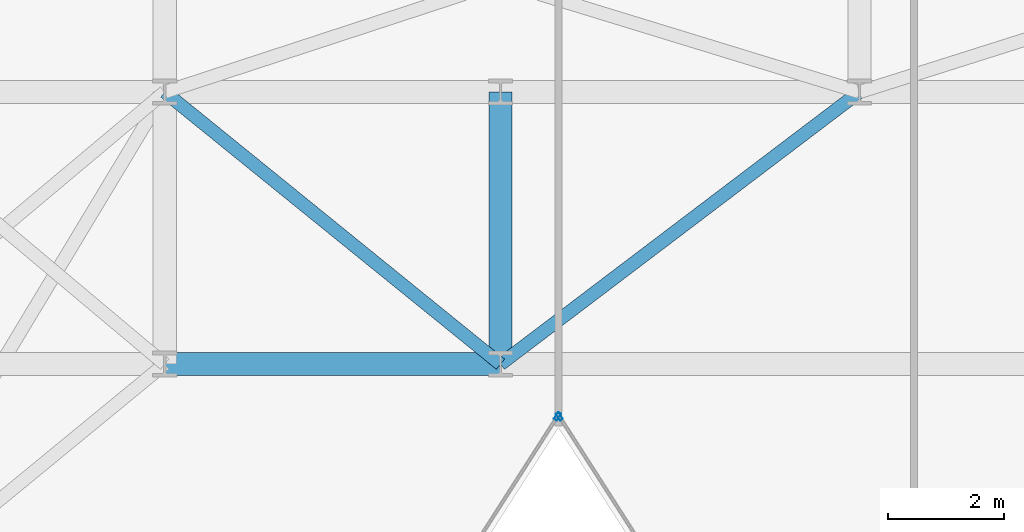
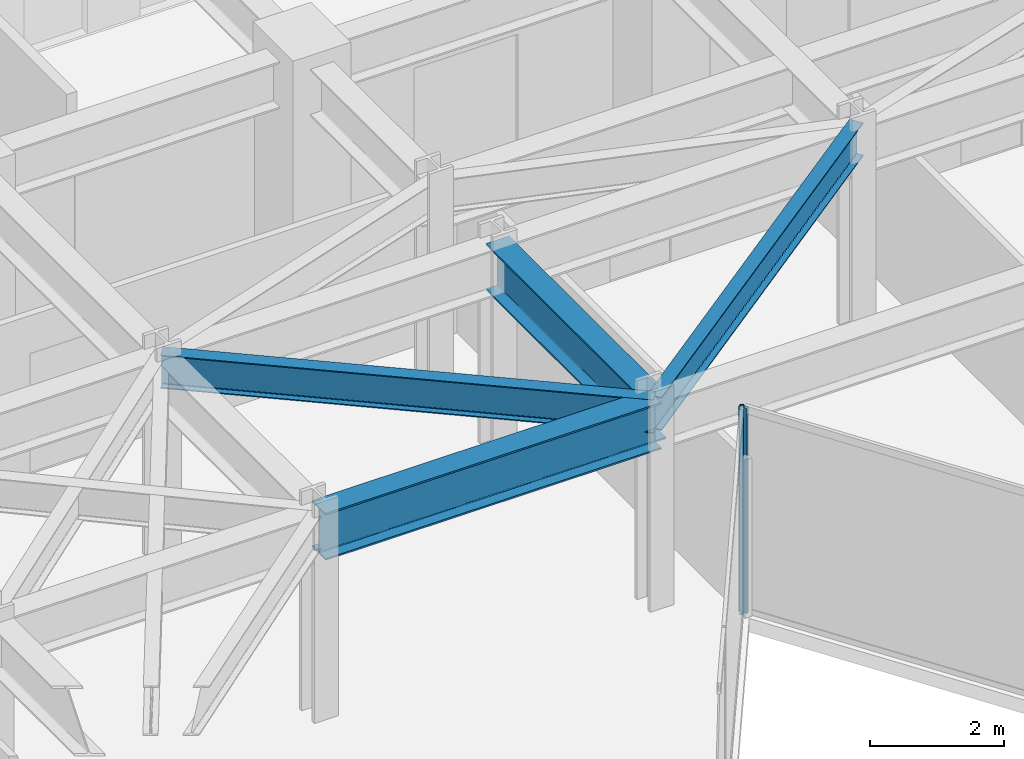
# One storey, part 13 of 26: 4 beams, 2 members, 2 elements without a shape of their own.
"""IFC4 building model written with IfcOpenShell, lengths in metres."""

from ifc_helpers import new_model, si_unit, direction, frame, origin, origin_2d, place, context, subcontext, project, spatial, hollow_rectangle, i_section, extrude, material, layer, layer_set, material_profile, profile_set, type_object, element, aggregate, save


model = new_model("IFC4")

# Units and contexts
model_context = context("Model", 3, precision=1e-05, world=origin(), true_north=direction((0.0, 1.0)))
body_context = subcontext(model_context, "Body", "Model", "MODEL_VIEW")
ifc_project = project(units=[si_unit("LENGTHUNIT", "METRE"), si_unit("AREAUNIT", "SQUARE_METRE"), si_unit("VOLUMEUNIT", "CUBIC_METRE"), si_unit("PLANEANGLEUNIT", "RADIAN"), si_unit("MASSUNIT", "GRAM", prefix="KILO")], contexts=[model_context])

# Site, building, storey
site_placement = place(None, origin())
site = spatial("IfcSite", under=ifc_project, at=site_placement, CompositionType="ELEMENT")
building_placement = place(site_placement, origin())
building = spatial("IfcBuilding", under=site, at=building_placement, Name="Kravanh Interchange Tower", CompositionType="ELEMENT")
storey_placement = place(building_placement, frame((0.0, 0.0, 136.0)))
storey = spatial("IfcBuildingStorey", under=building, at=storey_placement, Name="L32", CompositionType="ELEMENT", Elevation=136.0)

# Curtain wall, member
ifc_material_1 = material(Name="Anodised Bronze Aluminium", Category="aluminium")
ifc_layer = layer(ifc_material_1, 0.179931640625)
ifc_layer_set = layer_set([ifc_layer], Name="Unitised Curtain Wall System CW-Z2 Mid Office")
curtain_wall_type = type_object("IfcCurtainWallType", Name="Unitised Curtain Wall System CW-Z2 Mid Office", PredefinedType="NOTDEFINED", material=ifc_layer_set)
curtain_wall_1_placement = place(storey_placement, origin())
curtain_wall_1 = element("IfcCurtainWall", 1, at=curtain_wall_1_placement, inside=storey, type_object=curtain_wall_type, Name="L32 Unitised Curtain Wall CW-L32-04", PredefinedType="NOTDEFINED")
ifc_material_2 = material(Name="Anodised Bronze Aluminium", Category="aluminium")
ifc_material_profile_1 = material_profile(ifc_material_2, hollow_rectangle(XDim=0.06005859375, YDim=0.139892578125, WallThickness=0.00390625, at=origin_2d()), Name="ALU60X140X4")
ifc_profile_set_1 = profile_set([ifc_material_profile_1], Name="Anodised Bronze Aluminium")
member_type = type_object("IfcMemberType", Name="Curtain Wall Mullion ALU60X140X4 Bronze", PredefinedType="MULLION", material=ifc_profile_set_1)
member_1_placement = place(storey_placement, frame((39.6162109375, 25.897216796875, 0.0), z_axis=(0.0, 0.0, 1.0), x_axis=(-0.841879939476, -0.539664865919, 0.0)))
member_1 = element("IfcMember", 2, at=member_1_placement, type_object=member_type, Name="CW-Z2 mullion 5", PredefinedType="MULLION", context=body_context, shape_type="SweptSolid", body=[
    extrude(hollow_rectangle(XDim=0.06005859375, YDim=0.139892578125, WallThickness=0.00390625, at=origin_2d()), origin(), (0.0, 0.0, 1.0), 3.75),
])
aggregate(curtain_wall_1, [member_1])

curtain_wall_2_placement = place(storey_placement, origin())
curtain_wall_2 = element("IfcCurtainWall", 3, at=curtain_wall_2_placement, inside=storey, type_object=curtain_wall_type, Name="L32 Unitised Curtain Wall CW-L32-05", PredefinedType="NOTDEFINED")
member_2_placement = place(storey_placement, frame((39.583740234375, 25.897216796875, 0.0), z_axis=(0.0, 0.0, 1.0), x_axis=(0.841879939476, -0.539664865919, 0.0)))
member_2 = element("IfcMember", 4, at=member_2_placement, type_object=member_type, Name="CW-Z2 mullion 1", PredefinedType="MULLION", context=body_context, shape_type="SweptSolid", body=[
    extrude(hollow_rectangle(XDim=0.06005859375, YDim=0.139892578125, WallThickness=0.00390625, at=origin_2d()), origin(), (0.0, 0.0, 1.0), 3.75),
])
aggregate(curtain_wall_2, [member_2])

# Beams
ifc_material_3 = material(Name="Structural Steel S355", Category="steel")
ifc_material_profile_2 = material_profile(ifc_material_3, i_section(OverallWidth=0.39990234375, OverallDepth=0.85595703125, WebThickness=0.018310546875, FlangeThickness=0.029296875, FilletRadius=0.02490234375, at=origin_2d()), Name="W33X201")
ifc_profile_set_2 = profile_set([ifc_material_profile_2], Name="Structural Steel S355")
beam_type_1 = type_object("IfcBeamType", Name="Floor Beam W33X201 Structural Steel S355", PredefinedType="BEAM", material=ifc_profile_set_2)
beam_1_placement = place(storey_placement, frame((32.800048828125, 26.800048828125, 3.322021484375), z_axis=(1.0, 0.0, 0.0), x_axis=(0.0, 1.0, 0.0)))
element("IfcBeam", 5, at=beam_1_placement, inside=storey, type_object=beam_type_1, Name="L32 Primary Floor Girder 50", PredefinedType="BEAM", context=body_context, shape_type="SweptSolid", body=[
    extrude(i_section(OverallWidth=0.39990234375, OverallDepth=0.85595703125, WebThickness=0.018310546875, FlangeThickness=0.029296875, FilletRadius=0.02490234375, at=origin_2d()), origin(), (0.0, 0.0, 1.0), 5.800048828125),
])
beam_2_placement = place(storey_placement, frame((38.60009765625, 26.800048828125, 3.322021484375), z_axis=(0.0, 1.0, 0.0), x_axis=(-1.0, 0.0, 0.0)))
element("IfcBeam", 6, at=beam_2_placement, inside=storey, type_object=beam_type_1, Name="L32 Primary Floor Girder 53", PredefinedType="BEAM", context=body_context, shape_type="SweptSolid", body=[
    extrude(i_section(OverallWidth=0.39990234375, OverallDepth=0.85595703125, WebThickness=0.018310546875, FlangeThickness=0.029296875, FilletRadius=0.02490234375, at=origin_2d()), origin(), (0.0, 0.0, 1.0), 4.699951171875),
])
ifc_material_4 = material(Name="Structural Steel S355", Category="steel")
ifc_material_profile_3 = material_profile(ifc_material_4, i_section(OverallWidth=0.22802734375, OverallDepth=0.60791015625, WebThickness=0.01123046875, FlangeThickness=0.017333984375, FilletRadius=0.02197265625, at=origin_2d()), Name="W24X76")
ifc_profile_set_3 = profile_set([ifc_material_profile_3], Name="Structural Steel S355")
beam_type_2 = type_object("IfcBeamType", Name="Floor Spandrel W24X76 Structural Steel S355", PredefinedType="SPANDREL", material=ifc_profile_set_3)
beam_3_placement = place(storey_placement, frame((38.60009765625, 26.800048828125, 3.446044921875), z_axis=(-0.776938619557, 0.629576350764, 0.0), x_axis=(-0.629576350764, -0.776938619557, 0.0)))
element("IfcBeam", 7, at=beam_3_placement, inside=storey, type_object=beam_type_2, Name="L32 Perimeter Spandrel 54", PredefinedType="SPANDREL", context=body_context, shape_type="SweptSolid", body=[
    extrude(i_section(OverallWidth=0.22802734375, OverallDepth=0.60791015625, WebThickness=0.01123046875, FlangeThickness=0.017333984375, FilletRadius=0.02197265625, at=origin_2d()), origin(), (0.0, 0.0, 1.0), 7.46533203125),
])
beam_4_placement = place(storey_placement, frame((38.60009765625, 26.800048828125, 3.446044921875), z_axis=(0.796905365509, 0.604104161898, 0.0), x_axis=(-0.604104161898, 0.796905365509, 0.0)))
element("IfcBeam", 8, at=beam_4_placement, inside=storey, type_object=beam_type_2, Name="L32 Perimeter Spandrel 55", PredefinedType="SPANDREL", context=body_context, shape_type="SweptSolid", body=[
    extrude(i_section(OverallWidth=0.22802734375, OverallDepth=0.60791015625, WebThickness=0.01123046875, FlangeThickness=0.017333984375, FilletRadius=0.02197265625, at=origin_2d()), origin(), (0.0, 0.0, 1.0), 7.780029296875),
])

save(model, "model.ifc")
